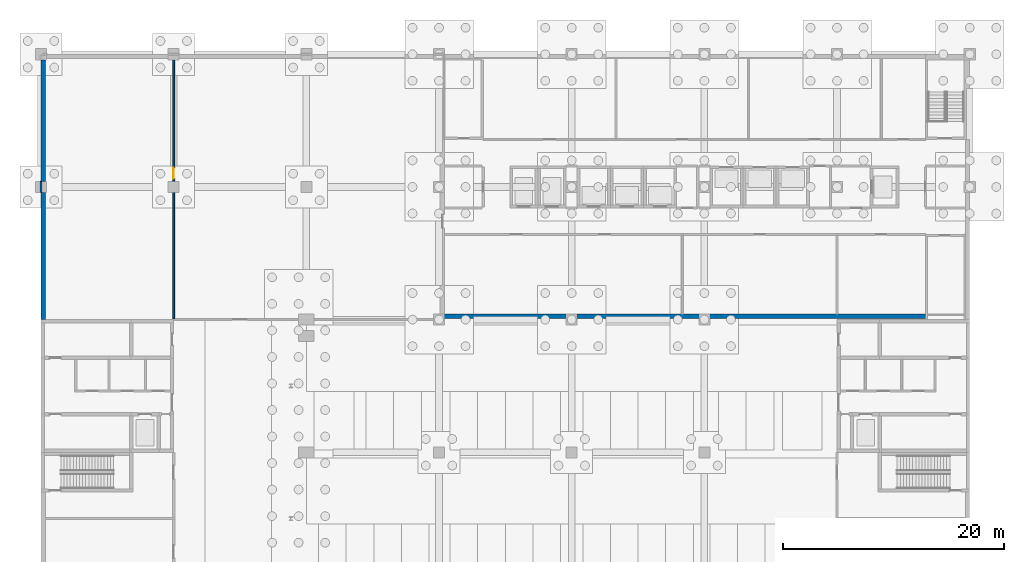
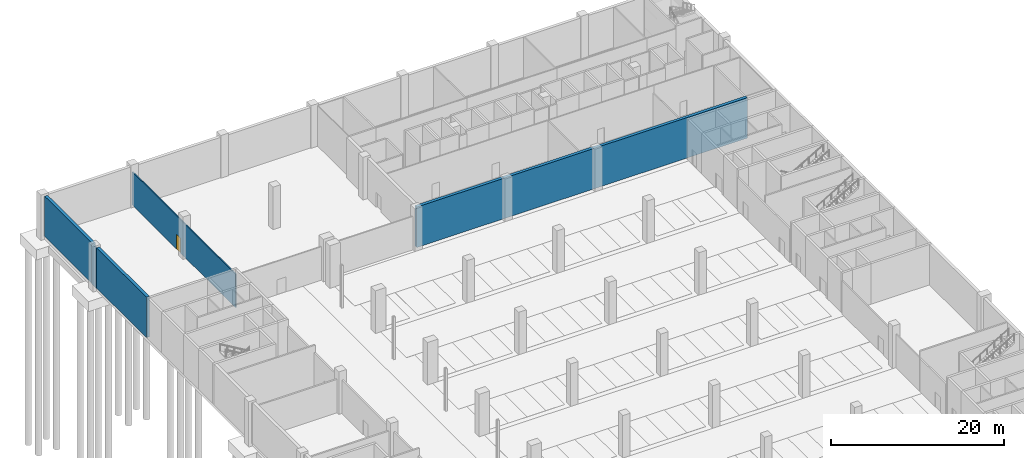
# One storey, part 24 of 34: 5 walls, 1 door, 1 opening.
"""IFC4 building model written with IfcOpenShell, lengths in metres."""

from ifc_helpers import new_model, si_unit, direction, frame, frame_2d, origin, place, context, subcontext, project, spatial, rectangle, extrude, material, layer, layer_set, type_object, element, fill, save


model = new_model("IFC4")

# Units and contexts
model_context = context("Model", 3, precision=1e-05, world=origin(), true_north=direction((0.0, 1.0)))
body_context = subcontext(model_context, "Body", "Model", "MODEL_VIEW")
ifc_project = project(units=[si_unit("LENGTHUNIT", "METRE"), si_unit("AREAUNIT", "SQUARE_METRE"), si_unit("VOLUMEUNIT", "CUBIC_METRE"), si_unit("PLANEANGLEUNIT", "RADIAN"), si_unit("MASSUNIT", "GRAM", prefix="KILO")], contexts=[model_context])

# Site, building, storey
site_placement = place(None, origin())
site = spatial("IfcSite", under=ifc_project, at=site_placement, CompositionType="ELEMENT")
building_placement = place(site_placement, origin())
building = spatial("IfcBuilding", under=site, at=building_placement, Name="Lilac Gate Convention Centre", CompositionType="ELEMENT")
storey_placement = place(building_placement, frame((0.0, 0.0, -6.0)))
storey = spatial("IfcBuildingStorey", under=building, at=storey_placement, Name="B1", CompositionType="ELEMENT", Elevation=-6.0)

# Walls
ifc_material_1 = material(Name="Fire-rated blockwork", Category="masonry")
ifc_layer_1 = layer(ifc_material_1, 0.39990234375)
ifc_layer_set_1 = layer_set([ifc_layer_1], Name="Fire-rated blockwork")
wall_type_1 = type_object("IfcWallType", Name="Basement compartment wall 400", PredefinedType="PARTITIONING", material=ifc_layer_set_1)
wall_1_placement = place(storey_placement, frame((42.10009765625, 222.300048828125, 0.0), z_axis=(0.0, 0.0, 1.0), x_axis=(1.0, 0.0, 0.0)))
element("IfcWall", 1, at=wall_1_placement, inside=storey, type_object=wall_type_1, Name="Basement compartment wall 400 compartment south", PredefinedType="PARTITIONING", context=body_context, shape_type="SweptSolid", body=[
    extrude(rectangle(XDim=44.099853515625, YDim=0.39990234375, at=frame_2d((22.0498046875, 0.0))), origin(), (0.0, 0.0, 1.0), 5.699951171875),
])
ifc_material_2 = material(Name="Concrete C35", Category="concrete")
ifc_layer_2 = layer(ifc_material_2, 0.39990234375)
ifc_layer_set_2 = layer_set([ifc_layer_2], Name="Concrete C35")
wall_type_2 = type_object("IfcWallType", Name="Basement wall 400 C35", PredefinedType="SOLIDWALL", material=ifc_layer_set_2)
wall_2_placement = place(storey_placement, frame((6.199951171875, 222.0, 0.0), z_axis=(0.0, 0.0, 1.0), x_axis=(0.0, 1.0, 0.0)))
element("IfcWall", 2, at=wall_2_placement, inside=storey, type_object=wall_type_2, Name="SW2 basement wall 18 at 1/A", PredefinedType="SOLIDWALL", context=body_context, shape_type="SweptSolid", body=[
    extrude(rectangle(XDim=11.5, YDim=0.39990234375, at=frame_2d((5.75, 0.0))), origin(), (0.0, 0.0, 1.0), 5.699951171875),
])
wall_3_placement = place(storey_placement, frame((6.199951171875, 234.5, 0.0), z_axis=(0.0, 0.0, 1.0), x_axis=(0.0, 1.0, 0.0)))
element("IfcWall", 3, at=wall_3_placement, inside=storey, type_object=wall_type_2, Name="SW2 basement wall 19 at 1/A", PredefinedType="SOLIDWALL", context=body_context, shape_type="SweptSolid", body=[
    extrude(rectangle(XDim=11.0, YDim=0.39990234375, at=frame_2d((5.5, 0.0))), origin(), (0.0, 0.0, 1.0), 5.699951171875),
])
ifc_material_3 = material(Name="Fire-rated gypsum board on steel stud", Category="steel")
ifc_layer_3 = layer(ifc_material_3, 0.14990234375)
ifc_layer_set_3 = layer_set([ifc_layer_3], Name="Fire-rated gypsum board on steel stud")
wall_type_3 = type_object("IfcWallType", Name="Partition 150 fire-rated gypsum board EI 60", PredefinedType="PARTITIONING", material=ifc_layer_set_3)
wall_4_placement = place(storey_placement, frame((6.0, 233.5, 0.0), z_axis=(0.0, 0.0, 1.0), x_axis=(0.0, 1.0, 0.0)))
element("IfcWall", 4, at=wall_4_placement, inside=storey, type_object=wall_type_3, Name="Partition 150 fire-rated gypsum board EI 60", PredefinedType="PARTITIONING", context=body_context, shape_type="SweptSolid", body=[
    extrude(rectangle(XDim=1.0, YDim=0.14990234375, at=frame_2d((0.5, 0.0))), origin(), (0.0, 0.0, 1.0), 5.699951171875),
])

# Wall, opening, door
wall_5_placement = place(storey_placement, frame((18.0, 222.074951171875, 0.0), z_axis=(0.0, 0.0, 1.0), x_axis=(0.0, 1.0, 0.0)))
wall_5 = element("IfcWall", 5, at=wall_5_placement, inside=storey, type_object=wall_type_3, Name="Partition 150 fire-rated gypsum board EI 60", PredefinedType="PARTITIONING", context=body_context, shape_type="SweptSolid", body=[
    extrude(rectangle(XDim=23.85009765625, YDim=0.14990234375, at=frame_2d((11.925048828125, 0.0))), origin(), (0.0, 0.0, 1.0), 4.699951171875),
])
opening_placement = place(wall_5_placement, frame((12.675048828125, 0.0, 0.0)))
opening = element("IfcOpeningElement", 6, at=opening_placement, cuts=wall_5, Name="Opening B1-097", PredefinedType="OPENING", context=body_context, shape_type="SweptSolid", body=[
    extrude(rectangle(XDim=1.0, YDim=2.10009765625, at=frame_2d((0.5, 1.050048828125))), frame((0.0, 0.0849609375, 0.0), z_axis=(0.0, -1.0, 0.0), x_axis=(1.0, 0.0, 0.0)), (0.0, 0.0, 1.0), 0.169921875),
])
ifc_material_4 = material(Name="Timber fire door leaf", Category="wood")
door_type = type_object("IfcDoorType", Name="Door 1000 x 2100 single leaf FD30", OperationType="SINGLE_SWING_LEFT", PredefinedType="DOOR", material=ifc_material_4)
door_placement = place(opening_placement, origin())
door = element("IfcDoor", 7, at=door_placement, inside=storey, type_object=door_type, Name="Locker room door B1-097", OperationType="SINGLE_SWING_LEFT", OverallHeight=2.10009765625, OverallWidth=1.0, PredefinedType="DOOR", context=body_context, shape_type="SweptSolid", body=[
    extrude(rectangle(XDim=1.0, YDim=2.10009765625, at=frame_2d((0.5, 1.050048828125))), frame((0.0, 0.02490234375, 0.0), z_axis=(0.0, -1.0, 0.0), x_axis=(1.0, 0.0, 0.0)), (0.0, 0.0, 1.0), 0.050048828125),
])
fill(opening, door)

save(model, "model.ifc")
